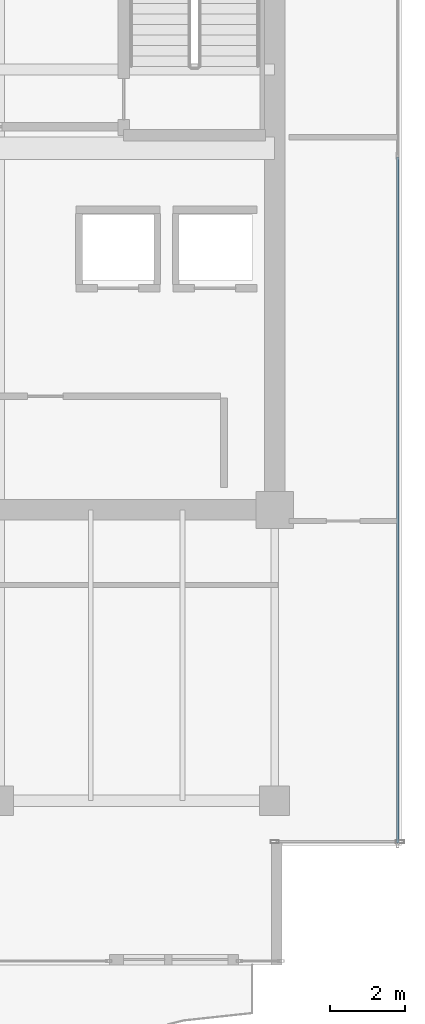
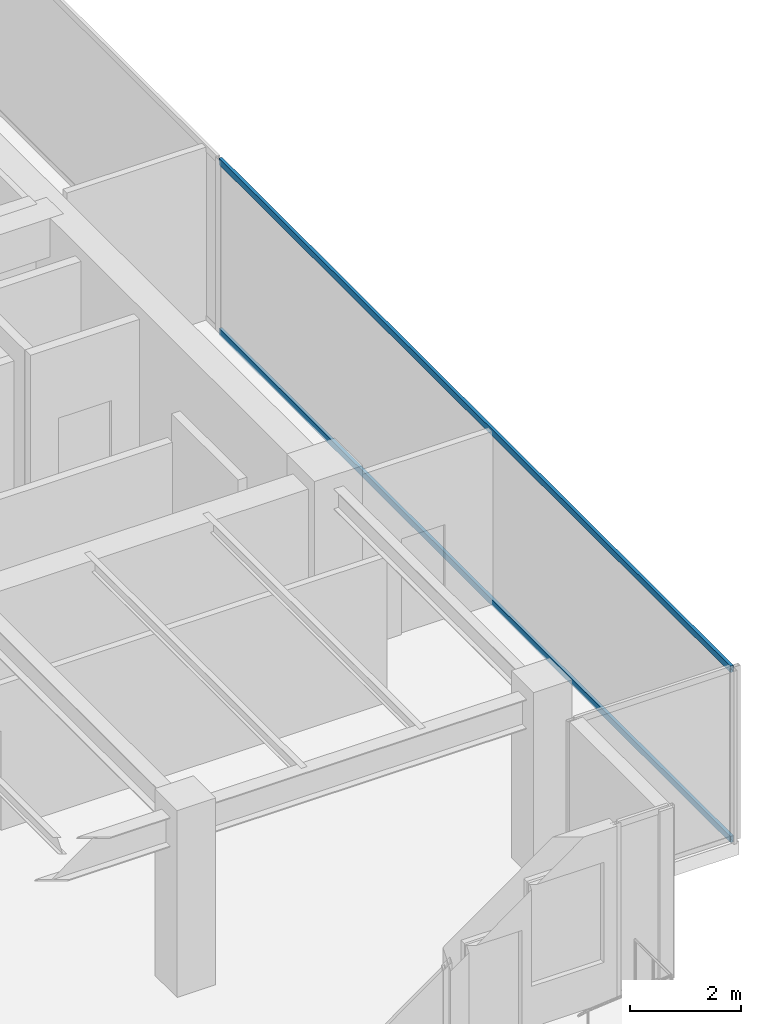
# One storey, part 23 of 34: 2 members, 1 element without a shape of its own.
"""IFC4 building model written with IfcOpenShell, lengths in metres."""

from ifc_helpers import new_model, si_unit, direction, frame, origin, origin_2d, place, context, subcontext, project, spatial, hollow_rectangle, extrude, source, transform, mapped, material, layer, layer_set, material_profile, profile_set, type_object, type_shapes, element, aggregate, save


model = new_model("IFC4")

# Units and contexts
model_context = context("Model", 3, precision=1e-05, world=origin(), true_north=direction((0.0, 1.0)))
body_context = subcontext(model_context, "Body", "Model", "MODEL_VIEW")
ifc_project = project(units=[si_unit("LENGTHUNIT", "METRE"), si_unit("AREAUNIT", "SQUARE_METRE"), si_unit("VOLUMEUNIT", "CUBIC_METRE"), si_unit("PLANEANGLEUNIT", "RADIAN"), si_unit("MASSUNIT", "GRAM", prefix="KILO")], contexts=[model_context])

# Site, building, storey
site_placement = place(None, origin())
site = spatial("IfcSite", under=ifc_project, at=site_placement, CompositionType="ELEMENT")
building_placement = place(site_placement, origin())
building = spatial("IfcBuilding", under=site, at=building_placement, Name="Haelvirn Gate Laboratories", CompositionType="ELEMENT")
storey_placement = place(building_placement, frame((0.0, 0.0, 246.5)))
storey = spatial("IfcBuildingStorey", under=building, at=storey_placement, Name="L59", CompositionType="ELEMENT", Elevation=246.5)

# Curtain wall, members
ifc_material_1 = material(Name="Anodised bronze unitised aluminium & triple low-E glass", Category="aluminium")
ifc_layer = layer(ifc_material_1, 0.176025390625, Name="CW-SYS-4")
ifc_layer_set = layer_set([ifc_layer], Name="Anodised bronze unitised aluminium & triple low-E glass")
curtain_wall_type = type_object("IfcCurtainWallType", Name="CW-SYS-4", PredefinedType="NOTDEFINED", material=ifc_layer_set)
curtain_wall_placement = place(storey_placement, origin())
curtain_wall = element("IfcCurtainWall", 1, at=curtain_wall_placement, inside=storey, type_object=curtain_wall_type, Name="L59 Unitised Curtain Wall CW-L59-P0-E07", PredefinedType="NOTDEFINED")
ifc_material_2 = material(Name="Extruded aluminium 6063-T6 (anodised bronze)", Category="aluminium")
ifc_material_profile = material_profile(ifc_material_2, hollow_rectangle(XDim=0.06494140625, YDim=0.139892578125, WallThickness=0.00390625, at=origin_2d()), Name="CWT-140x65x4")
ifc_profile_set = profile_set([ifc_material_profile], Name="Extruded aluminium 6063-T6 (anodised bronze)")
member_type = type_object("IfcMemberType", Name="CWT-T140", PredefinedType="USERDEFINED", material=ifc_profile_set)
shared_shape = source(origin(), body_context, "Body", "SweptSolid", [
    extrude(hollow_rectangle(XDim=0.06494140625, YDim=0.139892578125, WallThickness=0.00390625, at=origin_2d()), origin(), (0.0, 0.0, 1.0), 18.394775390625),
])
type_shapes(member_type, [shared_shape])
member_1_placement = place(storey_placement, frame((70.699951171875, 5.8701171875, 0.032470703125), z_axis=(0.0, 1.0, 0.0), x_axis=(-1.0, 0.0, 0.0)))
member_1 = element("IfcMember", 2, at=member_1_placement, type_object=member_type, Name="CW4 transom 1.1", ObjectType="TRANSOM", PredefinedType="USERDEFINED", context=body_context, shape_type="MappedRepresentation", body=[
    mapped(shared_shape, transform((0.0, 0.0, 0.0), scale=1.0)),
])
member_2_placement = place(storey_placement, frame((70.699951171875, 5.8701171875, 3.767578125), z_axis=(0.0, 1.0, 0.0), x_axis=(-1.0, 0.0, 0.0)))
member_2 = element("IfcMember", 3, at=member_2_placement, type_object=member_type, Name="CW4 transom 1.2", ObjectType="TRANSOM", PredefinedType="USERDEFINED", context=body_context, shape_type="MappedRepresentation", body=[
    mapped(shared_shape, transform((0.0, 0.0, 0.0), scale=1.0)),
])
aggregate(curtain_wall, [member_1, member_2])

save(model, "model.ifc")
